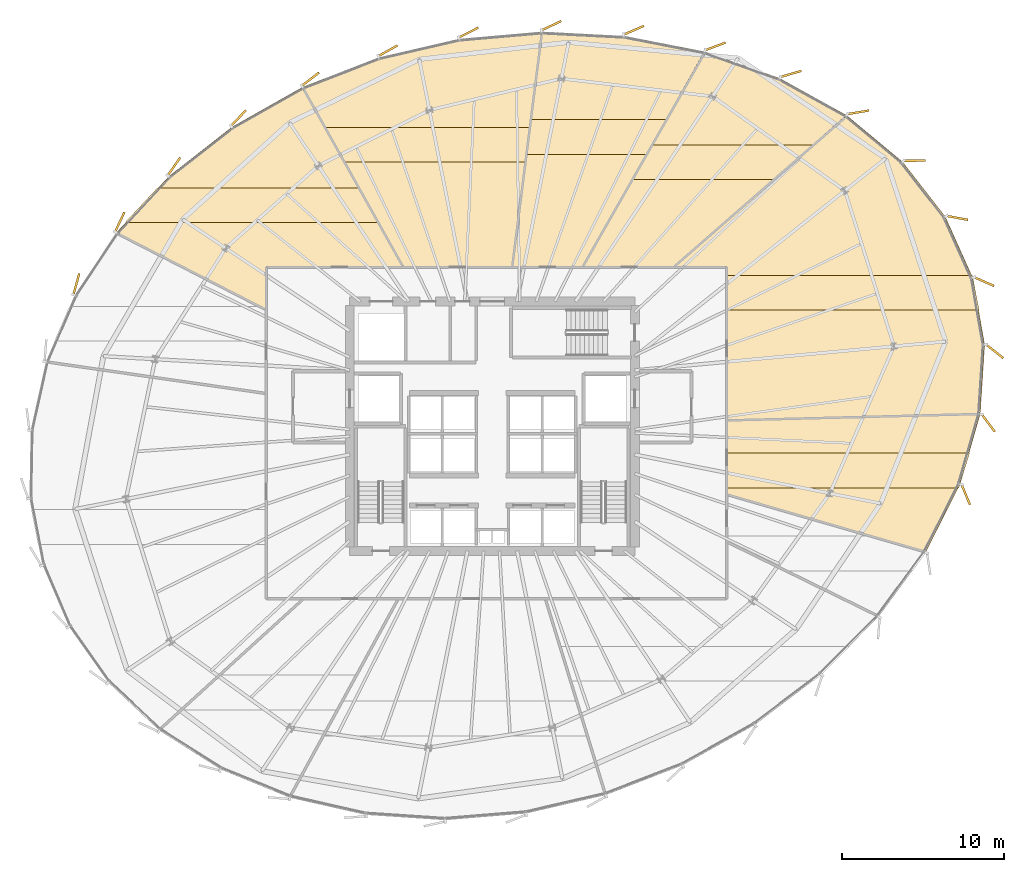
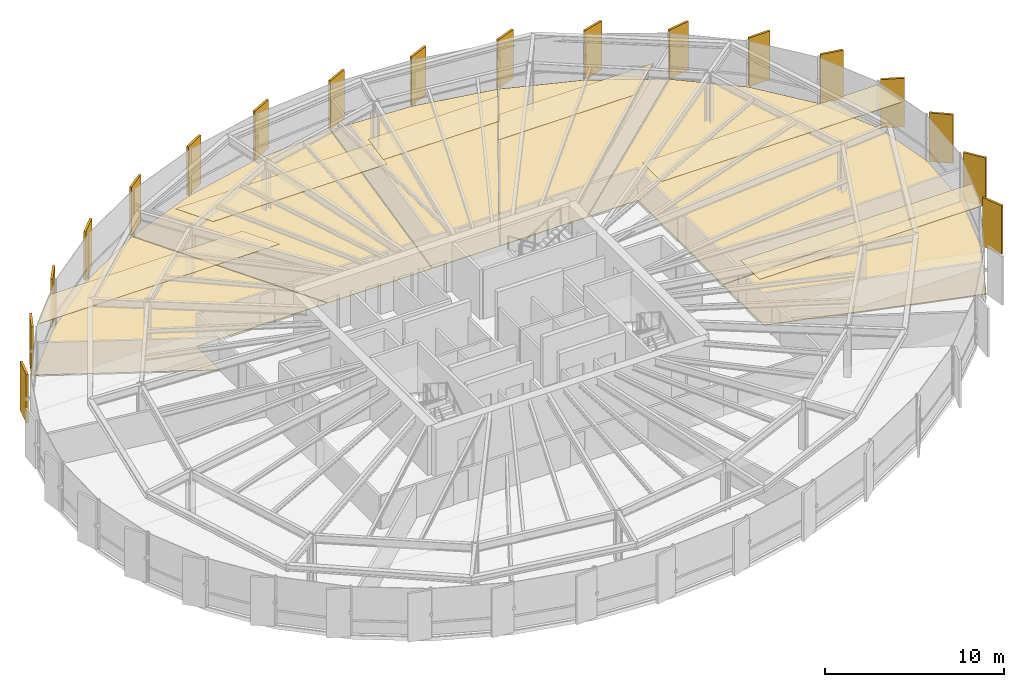
# One storey, part 35 of 35: 30 coverings.
"""IFC4 building model written with IfcOpenShell, lengths in metres."""

import ifcopenshell
import ifcopenshell.guid

model = None  # the IFC model being written
_history = None  # IfcOwnerHistory: only IFC2X3 demands one
_inside = {}  # id of a spatial element -> (the spatial element, [elements in it])
_under = {}  # id of a project, library or spatial element -> (it, [spatial elements below it])
_declared = {}  # id of a project -> (the project, [libraries it declares])
_typed = {}  # id of a type object -> (the type object, [elements of that type])
_made_of = {}  # id of a material, layer set ... -> (it, [elements and type objects made of it])


def new_model(schema):
    """Start an empty IFC model of exactly this schema.

    Asked for "IFC4X3", IfcOpenShell would pick the latest addendum, in which some entities
    have other attributes; the version numbers below select the first issue.
    IFC2X3 requires an IfcOwnerHistory on every rooted entity: one is made here for all.
    """
    global model, _history
    if schema == "IFC4X3":
        model = ifcopenshell.file(schema_version=(4, 3, 0, 0))
    else:
        model = ifcopenshell.file(schema=schema)
    _inside.clear()
    _under.clear()
    _declared.clear()
    _typed.clear()
    _made_of.clear()
    _history = None
    if model.schema == "IFC2X3":
        org = make("IfcOrganization", Name="unknown")
        user = make(
            "IfcPersonAndOrganization",
            ThePerson=make("IfcPerson", FamilyName="unknown"),
            TheOrganization=org,
        )
        app = make(
            "IfcApplication",
            ApplicationDeveloper=org,
            Version="unknown",
            ApplicationFullName="unknown",
            ApplicationIdentifier="unknown",
        )
        _history = make(
            "IfcOwnerHistory",
            OwningUser=user,
            OwningApplication=app,
            ChangeAction="ADDED",
            CreationDate=0,
        )
    return model


def make(cls, **values):
    """One entity of the class cls with the attributes given. An attribute that is None is left unset."""
    return model.create_entity(
        cls, **{name: value for name, value in values.items() if value is not None}
    )


def rooted(cls, **values):
    """An entity with a GlobalId (a new one), such as an element, a storey or a relation."""
    return make(cls, GlobalId=ifcopenshell.guid.new(), OwnerHistory=_history, **values)


def si_unit(unit_type, name, prefix=None):
    """IfcSIUnit, for example si_unit("LENGTHUNIT", "METRE", prefix="MILLI")."""
    return make("IfcSIUnit", UnitType=unit_type, Prefix=prefix, Name=name)


def assignment(units):
    """IfcUnitAssignment: the units of a project."""
    return None if units is None else make("IfcUnitAssignment", Units=units)


def point(xyz):
    """IfcCartesianPoint."""
    return None if xyz is None else make("IfcCartesianPoint", Coordinates=xyz)


def direction(xyz):
    """IfcDirection."""
    return None if xyz is None else make("IfcDirection", DirectionRatios=xyz)


def frame(location, z_axis=None, x_axis=None):
    """IfcAxis2Placement3D, a coordinate frame: its origin and axes. An axis left out is left unset."""
    return make(
        "IfcAxis2Placement3D",
        Location=point(location),
        Axis=direction(z_axis),
        RefDirection=direction(x_axis),
    )


def frame_2d(location, x_axis=None):
    """IfcAxis2Placement2D, a coordinate frame in the plane: its origin and x axis."""
    return make(
        "IfcAxis2Placement2D", Location=point(location), RefDirection=direction(x_axis)
    )


def origin():
    """The frame at (0, 0, 0) with its axes left unset."""
    return frame((0.0, 0.0, 0.0))


def origin_2d():
    """The frame at (0, 0) in the plane with its x axis left unset."""
    return frame_2d((0.0, 0.0))


def place(relative_to, where):
    """IfcLocalPlacement: puts the frame where relative to a parent placement (None: the world)."""
    return make(
        "IfcLocalPlacement", PlacementRelTo=relative_to, RelativePlacement=where
    )


def context(
    kind, dimensions, precision=None, world=None, true_north=None, identifier=None
):
    """IfcGeometricRepresentationContext, for example the 3D "Model" context."""
    return make(
        "IfcGeometricRepresentationContext",
        ContextIdentifier=identifier,
        ContextType=kind,
        CoordinateSpaceDimension=dimensions,
        Precision=precision,
        WorldCoordinateSystem=world,
        TrueNorth=true_north,
    )


def subcontext(parent, identifier, kind, view, scale=None):
    """IfcGeometricRepresentationSubContext, for example "Body" below "Model"."""
    return make(
        "IfcGeometricRepresentationSubContext",
        ContextIdentifier=identifier,
        ContextType=kind,
        ParentContext=parent,
        TargetScale=scale,
        TargetView=view,
    )


def project(units=None, contexts=None):
    """IfcProject with its units and contexts."""
    return rooted(
        "IfcProject",
        Name="project",
        RepresentationContexts=contexts,
        UnitsInContext=assignment(units),
    )


def spatial(cls, under=None, at=None, **own):
    """A site, building, storey or space (cls), placed at a placement, below another one or the project."""
    s = rooted(cls, ObjectPlacement=at, **own)
    if under is not None:
        _under.setdefault(under.id(), (under, []))[1].append(s)
    return s


def polyline(points):
    """IfcPolyline through the points."""
    return make("IfcPolyline", Points=[point(p) for p in points])


def profile(cls, at=None, kind="AREA", **sizes):
    """A parametric profile (cls). Its sizes go by their IFC names, for example OverallWidth=200.0."""
    return make(cls, ProfileType=kind, Position=at, **sizes)


def rectangle(**sizes):
    """IfcRectangleProfileDef."""
    return profile("IfcRectangleProfileDef", **sizes)


def outline(outer, holes=None, kind="AREA"):
    """IfcArbitraryClosedProfileDef: a profile drawn as a closed curve; with holes, ...WithVoids."""
    if holes is None:
        return make("IfcArbitraryClosedProfileDef", ProfileType=kind, OuterCurve=outer)
    return make(
        "IfcArbitraryProfileDefWithVoids",
        ProfileType=kind,
        OuterCurve=outer,
        InnerCurves=holes,
    )


def extrude(swept, where, along, depth):
    """IfcExtrudedAreaSolid: the profile swept, set in the frame where, extruded along a direction by depth."""
    return make(
        "IfcExtrudedAreaSolid",
        SweptArea=swept,
        Position=where,
        ExtrudedDirection=direction(along),
        Depth=depth,
    )


def shape(context_of_items, identifier, shape_type, items):
    """IfcShapeRepresentation: the items that make up one representation, for example the "Body"."""
    return make(
        "IfcShapeRepresentation",
        ContextOfItems=context_of_items,
        RepresentationIdentifier=identifier,
        RepresentationType=shape_type,
        Items=items,
    )


def source(mapping_origin, context_of_items, identifier, shape_type, items):
    """IfcRepresentationMap: a shape defined once, which mapped items show again and again."""
    return make(
        "IfcRepresentationMap",
        MappingOrigin=mapping_origin,
        MappedRepresentation=shape(context_of_items, identifier, shape_type, items),
    )


def transform(
    local_origin,
    x_axis=None,
    y_axis=None,
    z_axis=None,
    scale=None,
    scale2=None,
    scale3=None,
    uniform=True,
):
    """IfcCartesianTransformationOperator3D, or its non-uniform kind. x_axis, y_axis, z_axis: its Axis1, 2, 3."""
    if uniform:
        return make(
            "IfcCartesianTransformationOperator3D",
            Axis1=direction(x_axis),
            Axis2=direction(y_axis),
            LocalOrigin=point(local_origin),
            Scale=scale,
            Axis3=direction(z_axis),
        )
    return make(
        "IfcCartesianTransformationOperator3DnonUniform",
        Axis1=direction(x_axis),
        Axis2=direction(y_axis),
        LocalOrigin=point(local_origin),
        Scale=scale,
        Axis3=direction(z_axis),
        Scale2=scale2,
        Scale3=scale3,
    )


def mapped(mapping_source, mapping_target):
    """IfcMappedItem: shows the shape of a source again, moved by a transform."""
    return make(
        "IfcMappedItem", MappingSource=mapping_source, MappingTarget=mapping_target
    )


def material(Name=None, Category=None):
    """IfcMaterial."""
    return make("IfcMaterial", Name=Name, Category=Category)


def layer(
    of_material, thickness, ventilated=None, Name=None, Category=None, Priority=None
):
    """IfcMaterialLayer: one layer of a wall or slab, of a material (None: an air gap)."""
    return make(
        "IfcMaterialLayer",
        Material=of_material,
        LayerThickness=thickness,
        IsVentilated=ventilated,
        Name=Name,
        Category=Category,
        Priority=Priority,
    )


def layer_set(layers, Name=None):
    """IfcMaterialLayerSet."""
    return make("IfcMaterialLayerSet", MaterialLayers=layers, LayerSetName=Name)


def made_of(thing, what):
    """Note that an element or type object is made of a material, layer set ...; save() writes the relation."""
    if what is not None:
        _made_of.setdefault(what.id(), (what, []))[1].append(thing)
    return thing


def type_object(cls, material=None, **own):
    """A type object (cls), such as IfcWallType, which elements share."""
    return made_of(rooted(cls, **own), material)


def element(
    cls,
    number,
    at=None,
    inside=None,
    cuts=None,
    type_object=None,
    material=None,
    context=None,
    identifier="Body",
    shape_type=None,
    held_by="IfcProductDefinitionShape",
    body=None,
    shapes=None,
    **own,
):
    """One element of the class cls, such as IfcWall. Its Tag is "e" and its number.

    at: its placement. inside: the storey or other place that contains it. cuts: it is an
    opening in that element (IfcRelVoidsElement). A single representation is given by context,
    identifier, shape_type and body (its items); several are given by shapes. held_by: the class
    of the entity that holds the representations. save() writes the other relations.
    """
    e = rooted(cls, Tag="e%d" % number, ObjectPlacement=at, **own)
    if body is not None:
        shapes = [shape(context, identifier, shape_type, body)]
    if shapes is not None:
        e.Representation = make(held_by, Representations=shapes)
    if inside is not None:
        _inside.setdefault(inside.id(), (inside, []))[1].append(e)
    if cuts is not None:
        rooted(
            "IfcRelVoidsElement", RelatingBuildingElement=cuts, RelatedOpeningElement=e
        )
    if type_object is not None:
        _typed.setdefault(type_object.id(), (type_object, []))[1].append(e)
    return made_of(e, material)


def aggregate(whole, parts):
    """IfcRelAggregates: a whole, such as a stair, and the parts it consists of."""
    return rooted("IfcRelAggregates", RelatingObject=whole, RelatedObjects=parts)


def save(model, path):
    """Write the relations noted so far, then the file.

    IfcRelAggregates (storeys below a building ...), IfcRelContainedInSpatialStructure (elements
    in a storey), IfcRelDefinesByType, IfcRelAssociatesMaterial and IfcRelDeclares: one each for
    every whole, place, type object, material and project.
    """
    for whole, parts in _under.values():
        aggregate(whole, parts)
    for where, things in _inside.values():
        rooted(
            "IfcRelContainedInSpatialStructure",
            RelatedElements=things,
            RelatingStructure=where,
        )
    for kind, things in _typed.values():
        rooted("IfcRelDefinesByType", RelatedObjects=things, RelatingType=kind)
    for what, things in _made_of.values():
        rooted("IfcRelAssociatesMaterial", RelatedObjects=things, RelatingMaterial=what)
    for by, libraries in _declared.values():
        rooted("IfcRelDeclares", RelatingContext=by, RelatedDefinitions=libraries)
    model.write(path)


model = new_model("IFC4")

# Units and contexts
model_context = context("Model", 3, precision=1e-05, world=origin(), true_north=direction((0.0, 1.0)))
body_context = subcontext(model_context, "Body", "Model", "MODEL_VIEW")
ifc_project = project(units=[si_unit("LENGTHUNIT", "METRE"), si_unit("AREAUNIT", "SQUARE_METRE"), si_unit("VOLUMEUNIT", "CUBIC_METRE"), si_unit("PLANEANGLEUNIT", "RADIAN"), si_unit("MASSUNIT", "GRAM", prefix="KILO"), si_unit("THERMODYNAMICTEMPERATUREUNIT", "KELVIN")], contexts=[model_context])

# Site, building, storey
site_placement = place(None, origin())
site = spatial("IfcSite", under=ifc_project, at=site_placement, CompositionType="ELEMENT")
building_placement = place(site_placement, origin())
building = spatial("IfcBuilding", under=site, at=building_placement, Name="Kethvar Cultural Tower", CompositionType="ELEMENT")
storey_placement = place(building_placement, frame((0.0, 0.0, 103.60009765625)))
storey = spatial("IfcBuildingStorey", under=building, at=storey_placement, Name="L25", CompositionType="ELEMENT", Elevation=103.60009765625)

# Coverings
ifc_material_1 = material(Name="Acoustic Mineral Fibre Ceiling")
ifc_layer_1 = layer(ifc_material_1, 0.0400390625, Name="Acoustic Mineral Fibre Ceiling")
ifc_layer_set_1 = layer_set([ifc_layer_1], Name="Acoustic Mineral Fibre Ceiling (40 mm)")
covering_type_1 = type_object("IfcCoveringType", Name="CV-ACOUSTIC-CEIL", PredefinedType="CEILING", material=ifc_layer_set_1)
covering_1_placement = place(storey_placement, frame((0.0, 0.0, 2.889892578125)))
element("IfcCovering", 1, at=covering_1_placement, inside=storey, type_object=covering_type_1, Name="L25 Room 05 Acoustic Ceiling Panel", PredefinedType="CEILING", context=body_context, shape_type="SweptSolid", body=[
    extrude(outline(polyline([(76.264892578125, 26.138427734375), (75.59716796875, 23.98828125), (61.25, 23.98828125), (61.25, 26.138427734375), (76.264892578125, 26.138427734375)])), origin(), (0.0, 0.0, 1.0), 0.0400390625),
])
covering_2_placement = place(storey_placement, frame((0.0, 0.0, 2.889892578125)))
element("IfcCovering", 2, at=covering_2_placement, inside=storey, type_object=covering_type_1, Name="L25 Room 06 Acoustic Ceiling Panel", PredefinedType="CEILING", context=body_context, shape_type="SweptSolid", body=[
    extrude(outline(polyline([(61.25, 37.1123046875), (76.43212890625, 37.1123046875), (76.85791015625, 34.96240234375), (61.25, 34.96240234375), (61.25, 37.1123046875)])), origin(), (0.0, 0.0, 1.0), 0.0400390625),
])
covering_3_placement = place(storey_placement, frame((0.0, 0.0, 2.889892578125)))
element("IfcCovering", 3, at=covering_3_placement, inside=storey, type_object=covering_type_1, Name="L25 Room 07 Acoustic Ceiling Panel", PredefinedType="CEILING", context=body_context, shape_type="SweptSolid", body=[
    extrude(outline(polyline([(64.190673828125, 43.02587890625), (55.414306640625, 43.02587890625), (56.6337890625, 45.176025390625), (66.64208984375, 45.176025390625), (64.190673828125, 43.02587890625)])), origin(), (0.0, 0.0, 1.0), 0.0400390625),
])
covering_4_placement = place(storey_placement, frame((0.0, 0.0, 2.889892578125)))
element("IfcCovering", 4, at=covering_4_placement, inside=storey, type_object=covering_type_1, Name="L25 Room 08 Acoustic Ceiling Panel", PredefinedType="CEILING", context=body_context, shape_type="SweptSolid", body=[
    extrude(outline(polyline([(56.340576171875, 44.577880859375), (48.87939453125, 44.577880859375), (49.148193359375, 46.727783203125), (57.560302734375, 46.727783203125), (56.340576171875, 44.577880859375)])), origin(), (0.0, 0.0, 1.0), 0.0400390625),
])
covering_5_placement = place(storey_placement, frame((0.0, 0.0, 2.889892578125)))
element("IfcCovering", 5, at=covering_5_placement, inside=storey, type_object=covering_type_1, Name="L25 Room 09 Acoustic Ceiling Panel", PredefinedType="CEILING", context=body_context, shape_type="SweptSolid", body=[
    extrude(outline(polyline([(48.860595703125, 44.1064453125), (37.649169921875, 44.1064453125), (36.44580078125, 46.256591796875), (49.129638671875, 46.256591796875), (48.860595703125, 44.1064453125)])), origin(), (0.0, 0.0, 1.0), 0.0400390625),
])
covering_6_placement = place(storey_placement, frame((0.0, 0.0, 2.889892578125)))
element("IfcCovering", 6, at=covering_6_placement, inside=storey, type_object=covering_type_1, Name="L25 Room 10 Acoustic Ceiling Panel", PredefinedType="CEILING", context=body_context, shape_type="SweptSolid", body=[
    extrude(outline(polyline([(26.12841796875, 42.51220703125), (38.58740234375, 42.51220703125), (39.791015625, 40.3623046875), (24.120361328125, 40.3623046875), (26.12841796875, 42.51220703125)])), origin(), (0.0, 0.0, 1.0), 0.0400390625),
])
ifc_material_2 = material(Name="Honed Warm Limestone", Category="masonry")
ifc_layer_2 = layer(ifc_material_2, 0.030029296875, Name="Honed Warm Limestone", Category="masonry")
ifc_layer_set_2 = layer_set([ifc_layer_2], Name="Honed Warm Limestone (30 mm)")
covering_type_2 = type_object("IfcCoveringType", Name="CV-STONE-FLOOR", PredefinedType="FLOORING", material=ifc_layer_set_2)
covering_7_placement = place(storey_placement, origin())
element("IfcCovering", 7, at=covering_7_placement, inside=storey, type_object=covering_type_2, Name="L25 Room 05 Floor Finish", PredefinedType="FLOORING", context=body_context, shape_type="SweptSolid", body=[
    extrude(outline(polyline([(75.675537109375, 24.232421875), (73.554443359375, 20.034423828125), (61.2900390625, 23.603759765625), (61.2900390625, 28.138427734375), (76.9091796875, 28.524658203125), (75.675537109375, 24.232421875)])), origin(), (0.0, 0.0, 1.0), 0.02978515625),
])
covering_8_placement = place(storey_placement, origin())
element("IfcCovering", 8, at=covering_8_placement, inside=storey, type_object=covering_type_2, Name="L25 Room 06 Floor Finish", PredefinedType="FLOORING", context=body_context, shape_type="SweptSolid", body=[
    extrude(outline(polyline([(76.917236328125, 28.564697265625), (61.2900390625, 28.178466796875), (61.2890625, 37.625732421875), (58.049560546875, 37.639892578125), (68.68896484375, 46.97119140625), (72.12939453125, 44.1083984375), (74.762939453125, 40.72607421875), (76.47119140625, 36.927978515625), (77.193115234375, 32.82666015625), (76.917236328125, 28.564697265625)])), origin(), (0.0, 0.0, 1.0), 0.02978515625),
])
covering_9_placement = place(storey_placement, origin())
element("IfcCovering", 9, at=covering_9_placement, inside=storey, type_object=covering_type_2, Name="L25 Room 07 Floor Finish", PredefinedType="FLOORING", context=body_context, shape_type="SweptSolid", body=[
    extrude(outline(polyline([(64.55029296875, 49.26806640625), (68.654052734375, 46.993896484375), (57.989013671875, 37.639892578125), (52.40478515625, 37.639892578125), (59.931640625, 50.908203125), (64.55029296875, 49.26806640625)])), origin(), (0.0, 0.0, 1.0), 0.02978515625),
])
covering_10_placement = place(storey_placement, origin())
element("IfcCovering", 10, at=covering_10_placement, inside=storey, type_object=covering_type_2, Name="L25 Room 08 Floor Finish", PredefinedType="FLOORING", context=body_context, shape_type="SweptSolid", body=[
    extrude(outline(polyline([(54.957763671875, 51.87841796875), (59.891357421875, 50.91845703125), (52.35888671875, 37.639892578125), (48.051513671875, 37.639892578125), (49.865966796875, 52.141357421875), (54.957763671875, 51.87841796875)])), origin(), (0.0, 0.0, 1.0), 0.02978515625),
])
covering_11_placement = place(storey_placement, origin())
element("IfcCovering", 11, at=covering_11_placement, inside=storey, type_object=covering_type_2, Name="L25 Room 09 Floor Finish", PredefinedType="FLOORING", context=body_context, shape_type="SweptSolid", body=[
    extrude(outline(polyline([(39.80029296875, 50.55322265625), (44.751708984375, 51.697998046875), (49.82568359375, 52.14013671875), (48.010986328125, 37.639892578125), (41.314697265625, 37.639892578125), (35.105712890625, 48.732177734375), (39.80029296875, 50.55322265625)])), origin(), (0.0, 0.0, 1.0), 0.02978515625),
])
covering_12_placement = place(storey_placement, origin())
element("IfcCovering", 12, at=covering_12_placement, inside=storey, type_object=covering_type_2, Name="L25 Room 10 Floor Finish", PredefinedType="FLOORING", context=body_context, shape_type="SweptSolid", body=[
    extrude(outline(polyline([(23.610107421875, 39.757080078125), (26.85693359375, 43.23388671875), (30.726806640625, 46.259521484375), (35.0693359375, 48.715087890625), (41.26904296875, 37.639892578125), (32.84423828125, 37.63916015625), (32.830078125, 35.01220703125), (23.610107421875, 39.757080078125)])), origin(), (0.0, 0.0, 1.0), 0.02978515625),
])
ifc_material_3 = material(Name="Extruded Architectural Terracotta", Category="masonry")
ifc_layer_3 = layer(ifc_material_3, 0.135009765625, Name="Extruded Architectural Terracotta", Category="masonry")
ifc_layer_set_3 = layer_set([ifc_layer_3], Name="Extruded Architectural Terracotta (135 mm)")
covering_type_3 = type_object("IfcCoveringType", Name="Terracotta Facade Fin FIN-02", PredefinedType="CLADDING", material=ifc_layer_set_3)
shared_shape = source(origin(), body_context, "Body", "SweptSolid", [
    extrude(rectangle(XDim=1.35009765625, YDim=0.135009765625, at=origin_2d()), origin(), (0.0, 0.0, 1.0), 3.31005859375),
])
for number, where, z_axis, x_axis, name in (
    (13, (77.164794921875, 36.729736328125, 0.019775390625), (0.0, 0.0, 1.0), (0.914818748228, -0.403864652935, 0.0), "L25 Vertical Terracotta Fin 1.1"),
    (14, (75.507080078125, 40.66259765625, 0.019775390625), (0.0, 0.0, 1.0), (0.983286698687, -0.182063912362, 0.0), "L25 Vertical Terracotta Fin 1.2"),
    (15, (72.869873046875, 44.19287109375, 0.019775390625), (0.0, 0.0, 1.0), (0.999912027779, 0.013264113344, 0.0), "L25 Vertical Terracotta Fin 1.3"),
    (16, (69.39306640625, 47.179931640625, 0.019775390625), (0.0, 0.0, 1.0), (0.98602512869, 0.166596655404, 0.0), "L25 Vertical Terracotta Fin 1.4"),
    (17, (65.23388671875, 49.548828125, 0.019775390625), (0.0, 0.0, 1.0), (0.960779154158, 0.277314653302, 0.0), "L25 Vertical Terracotta Fin 1.5"),
    (18, (60.569580078125, 51.248291015625, 0.019775390625), (0.0, 0.0, 1.0), (0.936243631274, 0.351351480571, 0.0), "L25 Vertical Terracotta Fin 1.6"),
    (19, (55.544921875, 52.248046875, 0.019775390625), (0.0, 0.0, 1.0), (0.91796244602, 0.396667301018, 0.0), "L25 Vertical Terracotta Fin 2.1"),
    (20, (50.452392578125, 52.529296875, 0.019775390625), (0.0, 0.0, 1.0), (0.90475272618, 0.425937207192, 0.0), "L25 Vertical Terracotta Fin 2.2"),
    (21, (45.33349609375, 52.099365234375, 0.019775390625), (0.0, 0.0, 1.0), (0.893214491985, 0.449630816679, 0.0), "L25 Vertical Terracotta Fin 2.3"),
    (22, (40.3544921875, 50.976318359375, 0.019775390625), (0.0, 0.0, 1.0), (0.872836916401, 0.488012005351, 0.0), "L25 Vertical Terracotta Fin 2.4"),
    (23, (35.5732421875, 49.222900390625, 0.019775390625), (0.0, 0.0, 1.0), (0.79345957712, 0.608622953458, 0.0), "L25 Vertical Terracotta Fin 2.5"),
    (24, (31.13525390625, 46.824951171875, 0.019775390625), (0.0, 0.0, 1.0), (0.694407231184, 0.719582238024, 0.0), "L25 Vertical Terracotta Fin 2.6"),
    (25, (27.145751953125, 43.827392578125, 0.019775390625), (0.0, 0.0, 1.0), (0.574148172537, 0.818751412806, 0.0), "L25 Vertical Terracotta Fin 3.1"),
    (26, (23.802001953125, 40.404541015625, 0.019775390625), (0.0, 0.0, 1.0), (0.431456045681, 0.902133959368, 0.0), "L25 Vertical Terracotta Fin 3.2"),
    (27, (21.122802734375, 36.57373046875, 0.019775390625), (0.0, 0.0, 1.0), (0.265556117487, 0.964095404234, 0.0), "L25 Vertical Terracotta Fin 3.3"),
    (28, (76.030029296875, 23.57958984375, 0.019775390625), (0.0, 0.0, 1.0), (0.383328328644, -0.923612143954, 0.0), "L25 Vertical Terracotta Fin 6.4"),
    (29, (77.420166015625, 27.999755859375, 0.019775390625), (0.0, 0.0, 1.0), (0.59916334338, -0.800626809413, 0.0), "L25 Vertical Terracotta Fin 6.5"),
    (30, (77.82080078125, 32.422119140625, 0.019775390625), (0.0, 0.0, 1.0), (0.783585034651, -0.621284551129, 0.0), "L25 Vertical Terracotta Fin 6.6"),
):
    element("IfcCovering", number, at=place(storey_placement, frame(where, z_axis=z_axis, x_axis=x_axis)), inside=storey, type_object=covering_type_3, Name=name, PredefinedType="CLADDING", context=body_context, shape_type="MappedRepresentation", body=[
        mapped(shared_shape, transform((0.0, 0.0, 0.0), scale=1.0)),
    ])

save(model, "model.ifc")
